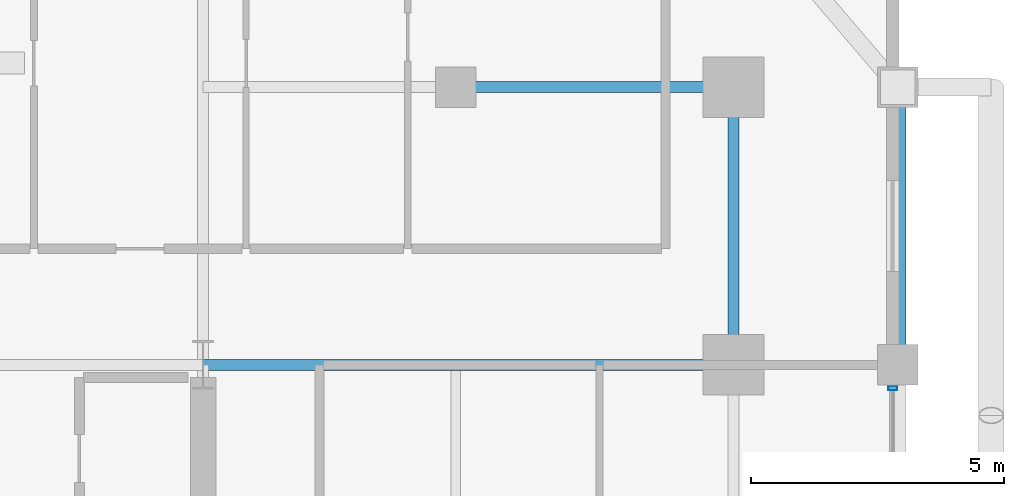
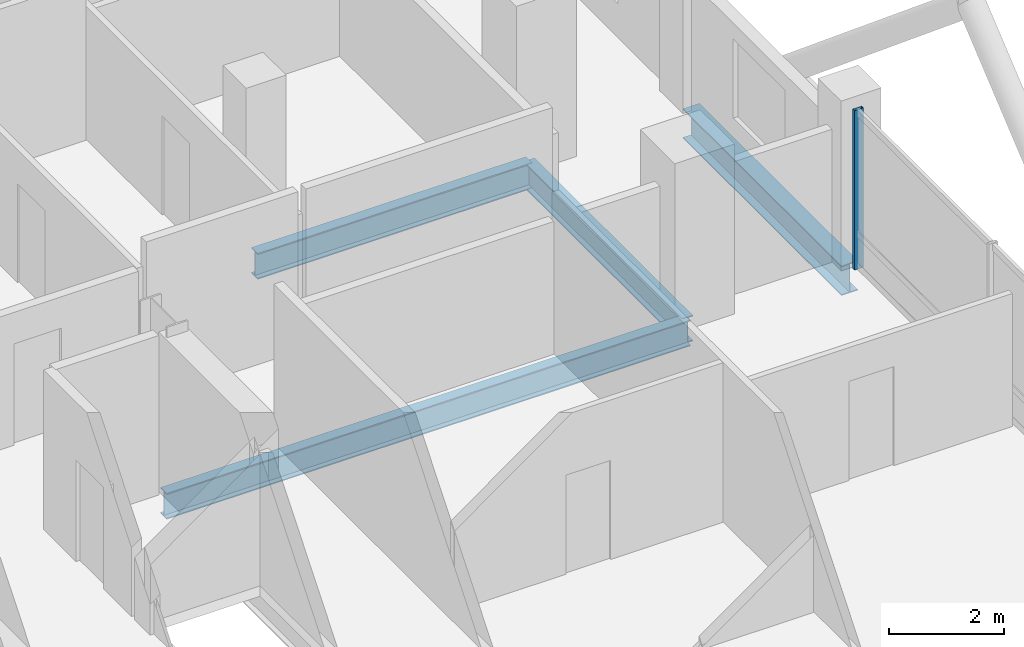
# One storey, part 17 of 24: 4 beams, 1 member, 1 element without a shape of its own.
"""IFC4 building model written with IfcOpenShell, lengths in metres."""

from ifc_helpers import new_model, si_unit, direction, frame, origin, origin_2d, place, context, subcontext, project, spatial, hollow_rectangle, i_section, extrude, material, layer, layer_set, material_profile, profile_set, type_object, element, aggregate, save


model = new_model("IFC4")

# Units and contexts
model_context = context("Model", 3, precision=1e-05, world=origin(), true_north=direction((0.0, 1.0)))
body_context = subcontext(model_context, "Body", "Model", "MODEL_VIEW")
ifc_project = project(units=[si_unit("LENGTHUNIT", "METRE"), si_unit("AREAUNIT", "SQUARE_METRE"), si_unit("VOLUMEUNIT", "CUBIC_METRE"), si_unit("PLANEANGLEUNIT", "RADIAN"), si_unit("MASSUNIT", "GRAM", prefix="KILO")], contexts=[model_context])

# Site, building, storey
site_placement = place(None, origin())
site = spatial("IfcSite", under=ifc_project, at=site_placement, CompositionType="ELEMENT")
building_placement = place(site_placement, origin())
building = spatial("IfcBuilding", under=site, at=building_placement, Name="Barlavira Tower and Art Museum", CompositionType="ELEMENT")
storey_placement = place(building_placement, frame((0.0, 0.0, 154.800048828125)))
storey = spatial("IfcBuildingStorey", under=building, at=storey_placement, Name="L39", CompositionType="ELEMENT", Elevation=154.800048828125)

# Curtain wall, member
ifc_material_1 = material(Name="Low-iron coastal laminated glass", Category="glass")
ifc_layer = layer(ifc_material_1, 0.18994140625, Name="Low-iron coastal laminated glass")
ifc_layer_set = layer_set([ifc_layer], Name="Low-iron coastal laminated glass")
curtain_wall_type = type_object("IfcCurtainWallType", Name="Pale-Metal Unitised Curtain Wall Zone 2", PredefinedType="NOTDEFINED", material=ifc_layer_set)
curtain_wall_placement = place(storey_placement, origin())
curtain_wall = element("IfcCurtainWall", 1, at=curtain_wall_placement, inside=storey, type_object=curtain_wall_type, Name="L39 Curtain Wall CW2-L39-E-B3", PredefinedType="NOTDEFINED")
ifc_material_2 = material(Name="Pale anodised aluminium", Category="aluminium")
ifc_material_profile_1 = material_profile(ifc_material_2, hollow_rectangle(XDim=0.06494140625, YDim=0.179931640625, WallThickness=0.00390625, at=origin_2d()), Name="ALU-MULL 65x180x4")
ifc_profile_set_1 = profile_set([ifc_material_profile_1], Name="Pale anodised aluminium")
member_type = type_object("IfcMemberType", Name="Curtain Wall Pale-Metal Mullion 65x180", PredefinedType="MULLION", material=ifc_profile_set_1)
member_placement = place(storey_placement, frame((20.14990234375, 7.034912109375, 0.0), z_axis=(0.0, 0.0, 1.0), x_axis=(0.0, 1.0, 0.0)))
member = element("IfcMember", 2, at=member_placement, type_object=member_type, Name="CW2-L39-E-B3 Mullion 3", PredefinedType="MULLION", context=body_context, shape_type="SweptSolid", body=[
    extrude(hollow_rectangle(XDim=0.06494140625, YDim=0.179931640625, WallThickness=0.00390625, at=origin_2d()), origin(), (0.0, 0.0, 1.0), 3.3798828125),
])
aggregate(curtain_wall, [member])

# Beams
ifc_material_3 = material(Name="Steel S355", Category="steel")
ifc_material_profile_2 = material_profile(ifc_material_3, i_section(OverallWidth=0.327880859375, OverallDepth=0.62890625, WebThickness=0.013916015625, FlangeThickness=0.021484375, at=origin_2d()), Name="W610x174.0")
ifc_profile_set_2 = profile_set([ifc_material_profile_2], Name="Steel S355")
beam_type_1 = type_object("IfcBeamType", Name="Perimeter Spandrel Edge Beam W610x174 Steel S355", PredefinedType="SPANDREL", material=ifc_profile_set_2)
beam_1_placement = place(storey_placement, frame((20.25, 7.5, -0.53466796875), z_axis=(0.0, 1.0, 0.0), x_axis=(-1.0, 0.0, 0.0)))
element("IfcBeam", 3, at=beam_1_placement, inside=storey, type_object=beam_type_1, Name="L39 Spandrel 7", PredefinedType="SPANDREL", context=body_context, shape_type="SweptSolid", body=[
    extrude(i_section(OverallWidth=0.327880859375, OverallDepth=0.62890625, WebThickness=0.013916015625, FlangeThickness=0.021484375, at=origin_2d()), origin(), (0.0, 0.0, 1.0), 5.5),
])
ifc_material_profile_3 = material_profile(ifc_material_3, i_section(OverallWidth=0.214111328125, OverallDepth=0.549072265625, WebThickness=0.0146484375, FlangeThickness=0.023681640625, at=origin_2d()), Name="W530x138.0")
ifc_profile_set_3 = profile_set([ifc_material_profile_3], Name="Steel S355")
beam_type_2 = type_object("IfcBeamType", Name="Zone 1 Primary Floor Girder W530x138 Steel S355", PredefinedType="BEAM", material=ifc_profile_set_3)
beam_2_placement = place(storey_placement, frame((17.0, 7.5, -0.49462890625), z_axis=(0.0, 1.0, 0.0), x_axis=(-1.0, 0.0, 0.0)))
element("IfcBeam", 4, at=beam_2_placement, inside=storey, type_object=beam_type_2, Name="L39 Girder M-E3", PredefinedType="BEAM", context=body_context, shape_type="SweptSolid", body=[
    extrude(i_section(OverallWidth=0.214111328125, OverallDepth=0.549072265625, WebThickness=0.0146484375, FlangeThickness=0.023681640625, at=origin_2d()), origin(), (0.0, 0.0, 1.0), 5.5),
])
beam_3_placement = place(storey_placement, frame((6.5, 7.5, -0.49462890625), z_axis=(1.0, 0.0, 0.0), x_axis=(0.0, 1.0, 0.0)))
element("IfcBeam", 5, at=beam_3_placement, inside=storey, type_object=beam_type_2, Name="L39 Girder R-E2", PredefinedType="BEAM", context=body_context, shape_type="SweptSolid", body=[
    extrude(i_section(OverallWidth=0.214111328125, OverallDepth=0.549072265625, WebThickness=0.0146484375, FlangeThickness=0.023681640625, at=origin_2d()), origin(), (0.0, 0.0, 1.0), 10.5),
])
beam_4_placement = place(storey_placement, frame((11.5, 13.0, -0.49462890625), z_axis=(1.0, 0.0, 0.0), x_axis=(0.0, 1.0, 0.0)))
element("IfcBeam", 6, at=beam_4_placement, inside=storey, type_object=beam_type_2, Name="L39 Girder I-N4", PredefinedType="BEAM", context=body_context, shape_type="SweptSolid", body=[
    extrude(i_section(OverallWidth=0.214111328125, OverallDepth=0.549072265625, WebThickness=0.0146484375, FlangeThickness=0.023681640625, at=origin_2d()), origin(), (0.0, 0.0, 1.0), 5.5),
])

save(model, "model.ifc")
